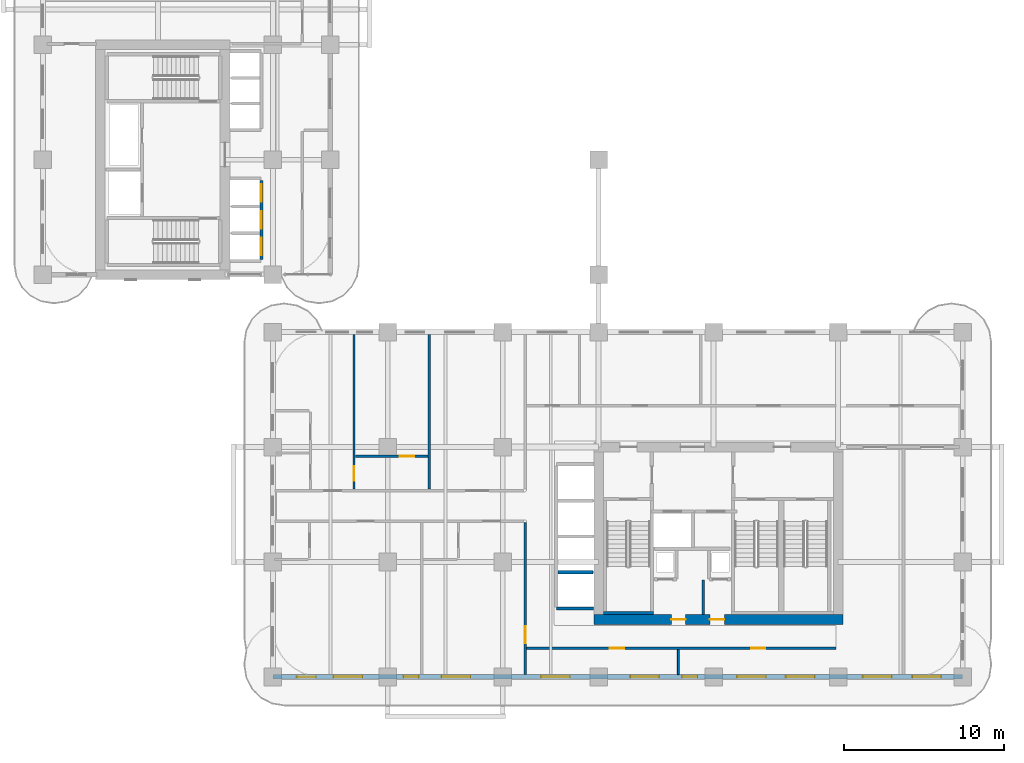
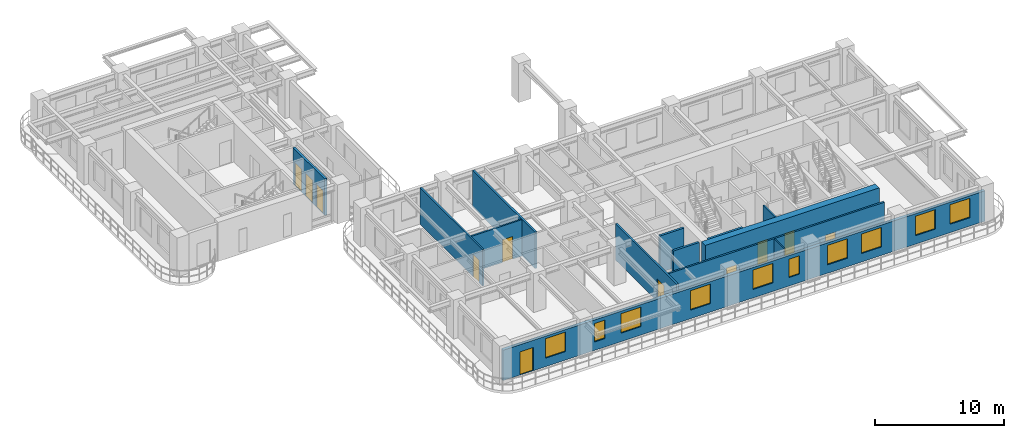
# One storey, part 7 of 19: 13 walls, 11 doors, 10 windows, 21 openings.
"""IFC4 building model written with IfcOpenShell, lengths in metres."""

from ifc_helpers import new_model, si_unit, derived_unit, direction, frame, frame_2d, origin, place, context, subcontext, project, spatial, rectangle, extrude, source, transform, mapped, material, layer, layer_set, type_object, type_shapes, element, fill, save


model = new_model("IFC4")

# Units and contexts
model_context = context("Model", 3, precision=1e-05, world=origin(), true_north=direction((0.0, 1.0)))
body_context = subcontext(model_context, "Body", "Model", "MODEL_VIEW")
ifc_project = project(units=[si_unit("LENGTHUNIT", "METRE"), si_unit("AREAUNIT", "SQUARE_METRE"), si_unit("VOLUMEUNIT", "CUBIC_METRE"), si_unit("PLANEANGLEUNIT", "RADIAN"), si_unit("MASSUNIT", "GRAM", prefix="KILO"), si_unit("THERMODYNAMICTEMPERATUREUNIT", "KELVIN"), si_unit("POWERUNIT", "WATT"), derived_unit("THERMALTRANSMITTANCEUNIT", [(si_unit("POWERUNIT", "WATT"), 1), (si_unit("AREAUNIT", "SQUARE_METRE"), -1), (si_unit("THERMODYNAMICTEMPERATUREUNIT", "KELVIN"), -1)])], contexts=[model_context])

# Site, building, storey
site_placement = place(None, origin())
site = spatial("IfcSite", under=ifc_project, at=site_placement, CompositionType="ELEMENT")
building_placement = place(site_placement, origin())
building = spatial("IfcBuilding", under=site, at=building_placement, Name="Zahravan Archway Hotel and Residences", CompositionType="ELEMENT")
storey_placement = place(building_placement, frame((0.0, 0.0, 43.5)))
storey = spatial("IfcBuildingStorey", under=building, at=storey_placement, Name="L09", CompositionType="ELEMENT", Elevation=43.5)

# Wall, openings, doors
ifc_material_1 = material(Name="Concrete C70/85", Category="concrete")
ifc_layer_1 = layer(ifc_material_1, 0.60009765625, Name="Concrete C70/85", Category="concrete")
ifc_layer_set_1 = layer_set([ifc_layer_1], Name="Concrete C70/85")
wall_type_1 = type_object("IfcWallType", Name="CW-CORE-600", PredefinedType="SHEAR", material=ifc_layer_set_1)
wall_1_placement = place(storey_placement, frame((34.5, 3.60009765625, 0.0), z_axis=(0.0, 0.0, 1.0), x_axis=(1.0, 0.0, 0.0)))
wall_1 = element("IfcWall", 1, at=wall_1_placement, inside=storey, type_object=wall_type_1, Name="L09 Core A Shear S Wall 600 mm", PredefinedType="SHEAR", context=body_context, shape_type="SweptSolid", body=[
    extrude(rectangle(XDim=15.60009765625, YDim=0.60009765625, at=frame_2d((7.800048828125, 0.0))), origin(), (0.0, 0.0, 1.0), 3.699951171875),
])
opening_1_placement = place(wall_1_placement, frame((4.85009765625, 0.0, 0.0)))
opening_1 = element("IfcOpeningElement", 2, at=opening_1_placement, cuts=wall_1, Name="Opening FD-R1", PredefinedType="OPENING", context=body_context, shape_type="SweptSolid", body=[
    extrude(rectangle(XDim=0.89990234375, YDim=2.10009765625, at=frame_2d((0.449951171875, 1.050048828125))), frame((0.0, 0.31005859375, 0.0), z_axis=(0.0, -1.0, 0.0), x_axis=(1.0, 0.0, 0.0)), (0.0, 0.0, 1.0), 0.6201171875),
])
opening_2_placement = place(wall_1_placement, frame((7.27001953125, 0.0, 0.0)))
opening_2 = element("IfcOpeningElement", 3, at=opening_2_placement, cuts=wall_1, Name="Opening FD-R1", PredefinedType="OPENING", context=body_context, shape_type="SweptSolid", body=[
    extrude(rectangle(XDim=0.89990234375, YDim=2.10009765625, at=frame_2d((0.449951171875, 1.050048828125))), frame((0.0, 0.31005859375, 0.0), z_axis=(0.0, -1.0, 0.0), x_axis=(1.0, 0.0, 0.0)), (0.0, 0.0, 1.0), 0.6201171875),
])
ifc_material_2 = material(Name="Fire-Rated Painted Steel", Category="steel")
door_type_1 = type_object("IfcDoorType", Name="FD-RISER-900", OperationType="NOTDEFINED", PredefinedType="DOOR", material=ifc_material_2)
shared_shape_1 = source(origin(), body_context, "Body", "SweptSolid", [
    extrude(rectangle(XDim=0.89990234375, YDim=2.10009765625, at=frame_2d((0.449951171875, 1.050048828125))), frame((0.0, 0.02490234375, 0.0), z_axis=(0.0, -1.0, 0.0), x_axis=(1.0, 0.0, 0.0)), (0.0, 0.0, 1.0), 0.050048828125),
])
type_shapes(door_type_1, [shared_shape_1])
door_1_placement = place(opening_1_placement, origin())
door_1 = element("IfcDoor", 4, at=door_1_placement, inside=storey, type_object=door_type_1, Name="L09 Service Pantry Door", OperationType="SINGLE_SWING_RIGHT", OverallHeight=2.10009765625, OverallWidth=0.89990234375, PredefinedType="DOOR", context=body_context, shape_type="MappedRepresentation", body=[
    mapped(shared_shape_1, transform((0.0, 0.0, 0.0), scale=1.0)),
])
fill(opening_1, door_1)
door_2_placement = place(opening_2_placement, origin())
door_2 = element("IfcDoor", 5, at=door_2_placement, inside=storey, type_object=door_type_1, Name="L09 Fibre ELV Riser Door", OperationType="SINGLE_SWING_LEFT", OverallHeight=2.10009765625, OverallWidth=0.89990234375, PredefinedType="DOOR", context=body_context, shape_type="MappedRepresentation", body=[
    mapped(shared_shape_1, transform((0.0, 0.0, 0.0), scale=1.0)),
])
fill(opening_2, door_2)

# Wall, openings, door, windows
ifc_material_3 = material(Name="Honed Red-Ochre Sandstone & Insulated Block", Category="masonry")
ifc_layer_2 = layer(ifc_material_3, 0.280029296875, Name="Honed Red-Ochre Sandstone & Insulated Block", Category="masonry")
ifc_layer_set_2 = layer_set([ifc_layer_2], Name="Honed Red-Ochre Sandstone & Insulated Block")
wall_type_2 = type_object("IfcWallType", Name="EW-LOG-280", PredefinedType="SOLIDWALL", material=ifc_layer_set_2)
wall_2_placement = place(storey_placement, frame((14.39990234375, 0.0, 0.0), z_axis=(0.0, 0.0, 1.0), x_axis=(1.0, 0.0, 0.0)))
wall_2 = element("IfcWall", 6, at=wall_2_placement, inside=storey, type_object=wall_type_2, Name="L09 Exterior Sandstone Wall WA-S", PredefinedType="SOLIDWALL", context=body_context, shape_type="SweptSolid", body=[
    extrude(rectangle(XDim=43.2001953125, YDim=0.280029296875, at=frame_2d((21.60009765625, 0.0))), origin(), (0.0, 0.0, 1.0), 2.885009765625),
])
opening_3_placement = place(wall_2_placement, frame((1.5, 0.0, 0.0)))
opening_3 = element("IfcOpeningElement", 7, at=opening_3_placement, cuts=wall_2, Name="Opening ED-BL1", PredefinedType="OPENING", context=body_context, shape_type="SweptSolid", body=[
    extrude(rectangle(XDim=1.199951171875, YDim=2.199951171875, at=frame_2d((0.60009765625, 1.10009765625))), frame((0.0, 0.14990234375, 0.0), z_axis=(0.0, -1.0, 0.0), x_axis=(1.0, 0.0, 0.0)), (0.0, 0.0, 1.0), 0.300048828125),
])
opening_4_placement = place(wall_2_placement, frame((3.800048828125, 0.0, 0.800048828125)))
opening_4 = element("IfcOpeningElement", 8, at=opening_4_placement, cuts=wall_2, Name="Opening W-02", PredefinedType="OPENING", context=body_context, shape_type="SweptSolid", body=[
    extrude(rectangle(XDim=1.800048828125, YDim=1.85009765625, at=frame_2d((0.89990234375, 0.925048828125))), frame((0.0, 0.14990234375, 0.0), z_axis=(0.0, -1.0, 0.0), x_axis=(1.0, 0.0, 0.0)), (0.0, 0.0, 1.0), 0.300048828125),
])
opening_5_placement = place(wall_2_placement, frame((8.180908203125, 0.0, 0.800048828125)))
opening_5 = element("IfcOpeningElement", 9, at=opening_5_placement, cuts=wall_2, Name="Opening W-04", PredefinedType="OPENING", context=body_context, shape_type="SweptSolid", body=[
    extrude(rectangle(XDim=0.949951171875, YDim=1.75, at=frame_2d((0.47509765625, 0.875))), frame((0.0, 0.14990234375, 0.0), z_axis=(0.0, -1.0, 0.0), x_axis=(1.0, 0.0, 0.0)), (0.0, 0.0, 1.0), 0.300048828125),
])
opening_6_placement = place(wall_2_placement, frame((10.56396484375, 0.0, 0.800048828125)))
opening_6 = element("IfcOpeningElement", 10, at=opening_6_placement, cuts=wall_2, Name="Opening W-02", PredefinedType="OPENING", context=body_context, shape_type="SweptSolid", body=[
    extrude(rectangle(XDim=1.800048828125, YDim=1.85009765625, at=frame_2d((0.89990234375, 0.925048828125))), frame((0.0, 0.14990234375, 0.0), z_axis=(0.0, -1.0, 0.0), x_axis=(1.0, 0.0, 0.0)), (0.0, 0.0, 1.0), 0.300048828125),
])
opening_7_placement = place(wall_2_placement, frame((16.803955078125, 0.0, 0.800048828125)))
opening_7 = element("IfcOpeningElement", 11, at=opening_7_placement, cuts=wall_2, Name="Opening W-02", PredefinedType="OPENING", context=body_context, shape_type="SweptSolid", body=[
    extrude(rectangle(XDim=1.800048828125, YDim=1.85009765625, at=frame_2d((0.89990234375, 0.925048828125))), frame((0.0, 0.14990234375, 0.0), z_axis=(0.0, -1.0, 0.0), x_axis=(1.0, 0.0, 0.0)), (0.0, 0.0, 1.0), 0.300048828125),
])
opening_8_placement = place(wall_2_placement, frame((22.39599609375, 0.0, 0.800048828125)))
opening_8 = element("IfcOpeningElement", 12, at=opening_8_placement, cuts=wall_2, Name="Opening W-02", PredefinedType="OPENING", context=body_context, shape_type="SweptSolid", body=[
    extrude(rectangle(XDim=1.800048828125, YDim=1.85009765625, at=frame_2d((0.89990234375, 0.925048828125))), frame((0.0, 0.14990234375, 0.0), z_axis=(0.0, -1.0, 0.0), x_axis=(1.0, 0.0, 0.0)), (0.0, 0.0, 1.0), 0.300048828125),
])
opening_9_placement = place(wall_2_placement, frame((25.62890625, 0.0, 0.800048828125)))
opening_9 = element("IfcOpeningElement", 13, at=opening_9_placement, cuts=wall_2, Name="Opening W-04", PredefinedType="OPENING", context=body_context, shape_type="SweptSolid", body=[
    extrude(rectangle(XDim=0.949951171875, YDim=1.75, at=frame_2d((0.47509765625, 0.875))), frame((0.0, 0.14990234375, 0.0), z_axis=(0.0, -1.0, 0.0), x_axis=(1.0, 0.0, 0.0)), (0.0, 0.0, 1.0), 0.300048828125),
])
opening_10_placement = place(wall_2_placement, frame((29.074951171875, 0.0, 0.800048828125)))
opening_10 = element("IfcOpeningElement", 14, at=opening_10_placement, cuts=wall_2, Name="Opening W-02", PredefinedType="OPENING", context=body_context, shape_type="SweptSolid", body=[
    extrude(rectangle(XDim=1.800048828125, YDim=1.85009765625, at=frame_2d((0.89990234375, 0.925048828125))), frame((0.0, 0.14990234375, 0.0), z_axis=(0.0, -1.0, 0.0), x_axis=(1.0, 0.0, 0.0)), (0.0, 0.0, 1.0), 0.300048828125),
])
opening_11_placement = place(wall_2_placement, frame((32.125, 0.0, 0.800048828125)))
opening_11 = element("IfcOpeningElement", 15, at=opening_11_placement, cuts=wall_2, Name="Opening W-02", PredefinedType="OPENING", context=body_context, shape_type="SweptSolid", body=[
    extrude(rectangle(XDim=1.800048828125, YDim=1.85009765625, at=frame_2d((0.89990234375, 0.925048828125))), frame((0.0, 0.14990234375, 0.0), z_axis=(0.0, -1.0, 0.0), x_axis=(1.0, 0.0, 0.0)), (0.0, 0.0, 1.0), 0.300048828125),
])
opening_12_placement = place(wall_2_placement, frame((36.946044921875, 0.0, 0.800048828125)))
opening_12 = element("IfcOpeningElement", 16, at=opening_12_placement, cuts=wall_2, Name="Opening W-02", PredefinedType="OPENING", context=body_context, shape_type="SweptSolid", body=[
    extrude(rectangle(XDim=1.800048828125, YDim=1.85009765625, at=frame_2d((0.89990234375, 0.925048828125))), frame((0.0, 0.14990234375, 0.0), z_axis=(0.0, -1.0, 0.0), x_axis=(1.0, 0.0, 0.0)), (0.0, 0.0, 1.0), 0.300048828125),
])
opening_13_placement = place(wall_2_placement, frame((40.053955078125, 0.0, 0.800048828125)))
opening_13 = element("IfcOpeningElement", 17, at=opening_13_placement, cuts=wall_2, Name="Opening W-02", PredefinedType="OPENING", context=body_context, shape_type="SweptSolid", body=[
    extrude(rectangle(XDim=1.800048828125, YDim=1.85009765625, at=frame_2d((0.89990234375, 0.925048828125))), frame((0.0, 0.14990234375, 0.0), z_axis=(0.0, -1.0, 0.0), x_axis=(1.0, 0.0, 0.0)), (0.0, 0.0, 1.0), 0.300048828125),
])
ifc_material_4 = material(Name="Bronze-Anodized Glazed Aluminium", Category="aluminium")
door_type_2 = type_object("IfcDoorType", Name="ED-BALC-1200", OperationType="SLIDING_TO_LEFT", PredefinedType="DOOR", material=ifc_material_4)
shared_shape_2 = source(origin(), body_context, "Body", "SweptSolid", [
    extrude(rectangle(XDim=1.199951171875, YDim=2.199951171875, at=frame_2d((0.60009765625, 1.10009765625))), frame((0.0, 0.02490234375, 0.0), z_axis=(0.0, -1.0, 0.0), x_axis=(1.0, 0.0, 0.0)), (0.0, 0.0, 1.0), 0.050048828125),
])
type_shapes(door_type_2, [shared_shape_2])
door_3_placement = place(opening_3_placement, origin())
door_3 = element("IfcDoor", 18, at=door_3_placement, inside=storey, type_object=door_type_2, Name="L09 Outdoor Access Sliding Door (SLB-BAL-L09-SA)", OperationType="SLIDING_TO_LEFT", OverallHeight=2.199951171875, OverallWidth=1.199951171875, PredefinedType="DOOR", context=body_context, shape_type="MappedRepresentation", body=[
    mapped(shared_shape_2, transform((0.0, 0.0, 0.0), scale=1.0)),
])
fill(opening_3, door_3)
ifc_material_5 = material(Name="Bronze-Anodized Thermal-Break Aluminium & Low-E Glass", Category="aluminium")
window_type_1 = type_object("IfcWindowType", Name="WIN-NAR-950", PartitioningType="SINGLE_PANEL", PredefinedType="WINDOW", material=ifc_material_5)
shared_shape_3 = source(origin(), body_context, "Body", "SweptSolid", [
    extrude(rectangle(XDim=0.949951171875, YDim=1.75, at=frame_2d((0.47509765625, 0.875))), frame((0.0, 0.030029296875, 0.0), z_axis=(0.0, -1.0, 0.0), x_axis=(1.0, 0.0, 0.0)), (0.0, 0.0, 1.0), 0.06005859375),
])
type_shapes(window_type_1, [shared_shape_3])
window_1_placement = place(opening_5_placement, origin())
window_1 = element("IfcWindow", 19, at=window_1_placement, inside=storey, type_object=window_type_1, Name="L09 Loggia Window 02", OverallHeight=1.75, OverallWidth=0.949951171875, PartitioningType="SINGLE_PANEL", PredefinedType="WINDOW", context=body_context, shape_type="MappedRepresentation", body=[
    mapped(shared_shape_3, transform((0.0, 0.0, 0.0), scale=1.0)),
])
fill(opening_5, window_1)
window_2_placement = place(opening_9_placement, origin())
window_2 = element("IfcWindow", 20, at=window_2_placement, inside=storey, type_object=window_type_1, Name="L09 Loggia Window 06", OverallHeight=1.75, OverallWidth=0.949951171875, PartitioningType="SINGLE_PANEL", PredefinedType="WINDOW", context=body_context, shape_type="MappedRepresentation", body=[
    mapped(shared_shape_3, transform((0.0, 0.0, 0.0), scale=1.0)),
])
fill(opening_9, window_2)
window_type_2 = type_object("IfcWindowType", Name="WIN-TWR-1800", PartitioningType="DOUBLE_PANEL_VERTICAL", PredefinedType="WINDOW", material=ifc_material_5)
shared_shape_4 = source(origin(), body_context, "Body", "SweptSolid", [
    extrude(rectangle(XDim=1.800048828125, YDim=1.85009765625, at=frame_2d((0.89990234375, 0.925048828125))), frame((0.0, 0.030029296875, 0.0), z_axis=(0.0, -1.0, 0.0), x_axis=(1.0, 0.0, 0.0)), (0.0, 0.0, 1.0), 0.06005859375),
])
type_shapes(window_type_2, [shared_shape_4])
window_3_placement = place(opening_4_placement, origin())
window_3 = element("IfcWindow", 21, at=window_3_placement, inside=storey, type_object=window_type_2, Name="L09 Loggia Window 01", OverallHeight=1.85009765625, OverallWidth=1.800048828125, PartitioningType="DOUBLE_PANEL_VERTICAL", PredefinedType="WINDOW", context=body_context, shape_type="MappedRepresentation", body=[
    mapped(shared_shape_4, transform((0.0, 0.0, 0.0), scale=1.0)),
])
fill(opening_4, window_3)
window_4_placement = place(opening_6_placement, origin())
window_4 = element("IfcWindow", 22, at=window_4_placement, inside=storey, type_object=window_type_2, Name="L09 Loggia Window 03", OverallHeight=1.85009765625, OverallWidth=1.800048828125, PartitioningType="DOUBLE_PANEL_VERTICAL", PredefinedType="WINDOW", context=body_context, shape_type="MappedRepresentation", body=[
    mapped(shared_shape_4, transform((0.0, 0.0, 0.0), scale=1.0)),
])
fill(opening_6, window_4)
window_5_placement = place(opening_7_placement, origin())
window_5 = element("IfcWindow", 23, at=window_5_placement, inside=storey, type_object=window_type_2, Name="L09 Loggia Window 04", OverallHeight=1.85009765625, OverallWidth=1.800048828125, PartitioningType="DOUBLE_PANEL_VERTICAL", PredefinedType="WINDOW", context=body_context, shape_type="MappedRepresentation", body=[
    mapped(shared_shape_4, transform((0.0, 0.0, 0.0), scale=1.0)),
])
fill(opening_7, window_5)
window_6_placement = place(opening_8_placement, origin())
window_6 = element("IfcWindow", 24, at=window_6_placement, inside=storey, type_object=window_type_2, Name="L09 Loggia Window 05", OverallHeight=1.85009765625, OverallWidth=1.800048828125, PartitioningType="DOUBLE_PANEL_VERTICAL", PredefinedType="WINDOW", context=body_context, shape_type="MappedRepresentation", body=[
    mapped(shared_shape_4, transform((0.0, 0.0, 0.0), scale=1.0)),
])
fill(opening_8, window_6)
window_7_placement = place(opening_10_placement, origin())
window_7 = element("IfcWindow", 25, at=window_7_placement, inside=storey, type_object=window_type_2, Name="L09 Loggia Window 07", OverallHeight=1.85009765625, OverallWidth=1.800048828125, PartitioningType="DOUBLE_PANEL_VERTICAL", PredefinedType="WINDOW", context=body_context, shape_type="MappedRepresentation", body=[
    mapped(shared_shape_4, transform((0.0, 0.0, 0.0), scale=1.0)),
])
fill(opening_10, window_7)
window_8_placement = place(opening_11_placement, origin())
window_8 = element("IfcWindow", 26, at=window_8_placement, inside=storey, type_object=window_type_2, Name="L09 Loggia Window 08", OverallHeight=1.85009765625, OverallWidth=1.800048828125, PartitioningType="DOUBLE_PANEL_VERTICAL", PredefinedType="WINDOW", context=body_context, shape_type="MappedRepresentation", body=[
    mapped(shared_shape_4, transform((0.0, 0.0, 0.0), scale=1.0)),
])
fill(opening_11, window_8)
window_9_placement = place(opening_12_placement, origin())
window_9 = element("IfcWindow", 27, at=window_9_placement, inside=storey, type_object=window_type_2, Name="L09 Loggia Window 09", OverallHeight=1.85009765625, OverallWidth=1.800048828125, PartitioningType="DOUBLE_PANEL_VERTICAL", PredefinedType="WINDOW", context=body_context, shape_type="MappedRepresentation", body=[
    mapped(shared_shape_4, transform((0.0, 0.0, 0.0), scale=1.0)),
])
fill(opening_12, window_9)
window_10_placement = place(opening_13_placement, origin())
window_10 = element("IfcWindow", 28, at=window_10_placement, inside=storey, type_object=window_type_2, Name="L09 Loggia Window 10", OverallHeight=1.85009765625, OverallWidth=1.800048828125, PartitioningType="DOUBLE_PANEL_VERTICAL", PredefinedType="WINDOW", context=body_context, shape_type="MappedRepresentation", body=[
    mapped(shared_shape_4, transform((0.0, 0.0, 0.0), scale=1.0)),
])
fill(opening_13, window_10)

# Wall, opening, door
ifc_material_6 = material(Name="Fire-Rated Gypsum & Concrete Block", Category="concrete")
ifc_layer_3 = layer(ifc_material_6, 0.159912109375, Name="Fire-Rated Gypsum & Concrete Block", Category="concrete")
ifc_layer_set_3 = layer_set([ifc_layer_3], Name="Fire-Rated Gypsum & Concrete Block")
wall_type_3 = type_object("IfcWallType", Name="PW-CORR-160", PredefinedType="PARTITIONING", material=ifc_layer_set_3)
wall_3_placement = place(storey_placement, frame((30.199951171875, 0.14794921875, 0.0), z_axis=(0.0, 0.0, 1.0), x_axis=(0.0, 1.0, 0.0)))
wall_3 = element("IfcWall", 29, at=wall_3_placement, inside=storey, type_object=wall_type_3, Name="L09 Partition WA-SRW", PredefinedType="PARTITIONING", context=body_context, shape_type="SweptSolid", body=[
    extrude(rectangle(XDim=9.511962890625, YDim=0.159912109375, at=frame_2d((4.755859375, 0.0))), origin(), (0.0, 0.0, 1.0), 3.449951171875),
])
opening_14_placement = place(wall_3_placement, frame((1.97705078125, 0.0, 0.0)))
opening_14 = element("IfcOpeningElement", 30, at=opening_14_placement, cuts=wall_3, Name="Opening FD-L2", PredefinedType="OPENING", context=body_context, shape_type="SweptSolid", body=[
    extrude(rectangle(XDim=1.050048828125, YDim=2.14990234375, at=frame_2d((0.52490234375, 1.074951171875))), frame((0.0, 0.08984375, 0.0), z_axis=(0.0, -1.0, 0.0), x_axis=(1.0, 0.0, 0.0)), (0.0, 0.0, 1.0), 0.179931640625),
])
door_type_3 = type_object("IfcDoorType", Name="FD-LOBBY-1100", OperationType="NOTDEFINED", PredefinedType="DOOR", material=ifc_material_2)
shared_shape_5 = source(origin(), body_context, "Body", "SweptSolid", [
    extrude(rectangle(XDim=1.050048828125, YDim=2.14990234375, at=frame_2d((0.52490234375, 1.074951171875))), frame((0.0, 0.02490234375, 0.0), z_axis=(0.0, -1.0, 0.0), x_axis=(1.0, 0.0, 0.0)), (0.0, 0.0, 1.0), 0.050048828125),
])
type_shapes(door_type_3, [shared_shape_5])
door_4_placement = place(opening_14_placement, origin())
door_4 = element("IfcDoor", 31, at=door_4_placement, inside=storey, type_object=door_type_3, Name="L09 South Riser Corridor Door", OperationType="SINGLE_SWING_LEFT", OverallHeight=2.14990234375, OverallWidth=1.050048828125, PredefinedType="DOOR", context=body_context, shape_type="MappedRepresentation", body=[
    mapped(shared_shape_5, transform((0.0, 0.0, 0.0), scale=1.0)),
])
fill(opening_14, door_4)

# Wall, openings, doors
wall_4_placement = place(storey_placement, frame((30.2900390625, 1.800048828125, 0.0), z_axis=(0.0, 0.0, 1.0), x_axis=(1.0, 0.0, 0.0)))
wall_4 = element("IfcWall", 32, at=wall_4_placement, inside=storey, type_object=wall_type_3, Name="L09 Partition WA-SRS", PredefinedType="PARTITIONING", context=body_context, shape_type="SweptSolid", body=[
    extrude(rectangle(XDim=19.369873046875, YDim=0.159912109375, at=frame_2d((9.68505859375, 0.0))), origin(), (0.0, 0.0, 1.0), 3.449951171875),
])
opening_15_placement = place(wall_4_placement, frame((5.213134765625, 0.0, 0.0)))
opening_15 = element("IfcOpeningElement", 33, at=opening_15_placement, cuts=wall_4, Name="Opening D-I2", PredefinedType="OPENING", context=body_context, shape_type="SweptSolid", body=[
    extrude(rectangle(XDim=0.89990234375, YDim=2.14990234375, at=frame_2d((0.449951171875, 1.074951171875))), frame((0.0, 0.08984375, 0.0), z_axis=(0.0, -1.0, 0.0), x_axis=(1.0, 0.0, 0.0)), (0.0, 0.0, 1.0), 0.179931640625),
])
opening_16_placement = place(wall_4_placement, frame((14.06005859375, 0.0, 0.0)))
opening_16 = element("IfcOpeningElement", 34, at=opening_16_placement, cuts=wall_4, Name="Opening D-I2", PredefinedType="OPENING", context=body_context, shape_type="SweptSolid", body=[
    extrude(rectangle(XDim=0.89990234375, YDim=2.14990234375, at=frame_2d((0.449951171875, 1.074951171875))), frame((0.0, 0.08984375, 0.0), z_axis=(0.0, -1.0, 0.0), x_axis=(1.0, 0.0, 0.0)), (0.0, 0.0, 1.0), 0.179931640625),
])
ifc_material_7 = material(Name="Hardwood Veneer Timber", Category="wood")
door_type_4 = type_object("IfcDoorType", Name="ID-INT-900", OperationType="NOTDEFINED", PredefinedType="DOOR", material=ifc_material_7)
shared_shape_6 = source(origin(), body_context, "Body", "SweptSolid", [
    extrude(rectangle(XDim=0.89990234375, YDim=2.14990234375, at=frame_2d((0.449951171875, 1.074951171875))), frame((0.0, 0.02490234375, 0.0), z_axis=(0.0, -1.0, 0.0), x_axis=(1.0, 0.0, 0.0)), (0.0, 0.0, 1.0), 0.050048828125),
])
type_shapes(door_type_4, [shared_shape_6])
door_5_placement = place(opening_15_placement, origin())
door_5 = element("IfcDoor", 35, at=door_5_placement, inside=storey, type_object=door_type_4, Name="L09 South Study Door", OperationType="SINGLE_SWING_RIGHT", OverallHeight=2.14990234375, OverallWidth=0.89990234375, PredefinedType="DOOR", context=body_context, shape_type="MappedRepresentation", body=[
    mapped(shared_shape_6, transform((0.0, 0.0, 0.0), scale=1.0)),
])
fill(opening_15, door_5)
door_6_placement = place(opening_16_placement, origin())
door_6 = element("IfcDoor", 36, at=door_6_placement, inside=storey, type_object=door_type_4, Name="L09 South Pantry Door", OperationType="SINGLE_SWING_LEFT", OverallHeight=2.14990234375, OverallWidth=0.89990234375, PredefinedType="DOOR", context=body_context, shape_type="MappedRepresentation", body=[
    mapped(shared_shape_6, transform((0.0, 0.0, 0.0), scale=1.0)),
])
fill(opening_16, door_6)

# Walls
ifc_material_8 = material(Name="Acoustic Stud Partition")
ifc_layer_4 = layer(ifc_material_8, 0.125, Name="Acoustic Stud Partition")
ifc_layer_set_4 = layer_set([ifc_layer_4], Name="Acoustic Stud Partition")
wall_type_4 = type_object("IfcWallType", Name="PW-INT-125", PredefinedType="PARTITIONING", material=ifc_layer_set_4)
wall_5_placement = place(storey_placement, frame((39.800048828125, 0.14794921875, 0.0), z_axis=(0.0, 0.0, 1.0), x_axis=(0.0, 1.0, 0.0)))
element("IfcWall", 37, at=wall_5_placement, inside=storey, type_object=wall_type_4, Name="L09 Partition S-DIV1", PredefinedType="PARTITIONING", context=body_context, shape_type="SweptSolid", body=[
    extrude(rectangle(XDim=1.56201171875, YDim=0.125, at=frame_2d((0.781005859375, 0.0))), origin(), (0.0, 0.0, 1.0), 3.449951171875),
])
ifc_layer_5 = layer(ifc_material_6, 0.199951171875, Name="Fire-Rated Gypsum & Concrete Block", Category="concrete")
ifc_layer_set_5 = layer_set([ifc_layer_5], Name="Fire-Rated Gypsum & Concrete Block")
wall_type_5 = type_object("IfcWallType", Name="PW-SHAFT-200", PredefinedType="PARTITIONING", material=ifc_layer_set_5)
wall_6_placement = place(storey_placement, frame((32.159912109375, 4.280029296875, 0.0), z_axis=(0.0, 0.0, 1.0), x_axis=(1.0, 0.0, 0.0)))
element("IfcWall", 38, at=wall_6_placement, inside=storey, type_object=wall_type_5, Name="L09 Partition B3-S", PredefinedType="PARTITIONING", context=body_context, shape_type="SweptSolid", body=[
    extrude(rectangle(XDim=2.31005859375, YDim=0.199951171875, at=frame_2d((1.155029296875, 0.0))), origin(), (0.0, 0.0, 1.0), 3.449951171875),
])
wall_7_placement = place(storey_placement, frame((32.260009765625, 6.56005859375, 0.0), z_axis=(0.0, 0.0, 1.0), x_axis=(1.0, 0.0, 0.0)))
element("IfcWall", 39, at=wall_7_placement, inside=storey, type_object=wall_type_5, Name="L09 Partition B3-D", PredefinedType="PARTITIONING", context=body_context, shape_type="SweptSolid", body=[
    extrude(rectangle(XDim=2.179931640625, YDim=0.199951171875, at=frame_2d((1.08984375, 0.0))), origin(), (0.0, 0.0, 1.0), 3.449951171875),
])

# Wall, openings, doors
wall_8_placement = place(storey_placement, frame((13.679931640625, 26.159912109375, 0.0), z_axis=(0.0, 0.0, 1.0), x_axis=(0.0, 1.0, 0.0)))
wall_8 = element("IfcWall", 40, at=wall_8_placement, inside=storey, type_object=wall_type_5, Name="L09 Partition B1-E", PredefinedType="PARTITIONING", context=body_context, shape_type="SweptSolid", body=[
    extrude(rectangle(XDim=4.940185546875, YDim=0.199951171875, at=frame_2d((2.47021484375, 0.0))), origin(), (0.0, 0.0, 1.0), 3.449951171875),
])
opening_17_placement = place(wall_8_placement, frame((0.239990234375, 0.0, 0.0)))
opening_17 = element("IfcOpeningElement", 41, at=opening_17_placement, cuts=wall_8, Name="Opening LD", PredefinedType="OPENING", context=body_context, shape_type="SweptSolid", body=[
    extrude(rectangle(XDim=1.10009765625, YDim=2.199951171875, at=frame_2d((0.550048828125, 1.10009765625))), frame((0.0, 0.10986328125, 0.0), z_axis=(0.0, -1.0, 0.0), x_axis=(1.0, 0.0, 0.0)), (0.0, 0.0, 1.0), 0.219970703125),
])
opening_18_placement = place(wall_8_placement, frame((1.919921875, 0.0, 0.0)))
opening_18 = element("IfcOpeningElement", 42, at=opening_18_placement, cuts=wall_8, Name="Opening LD", PredefinedType="OPENING", context=body_context, shape_type="SweptSolid", body=[
    extrude(rectangle(XDim=1.10009765625, YDim=2.199951171875, at=frame_2d((0.550048828125, 1.10009765625))), frame((0.0, 0.10986328125, 0.0), z_axis=(0.0, -1.0, 0.0), x_axis=(1.0, 0.0, 0.0)), (0.0, 0.0, 1.0), 0.219970703125),
])
opening_19_placement = place(wall_8_placement, frame((3.60009765625, 0.0, 0.0)))
opening_19 = element("IfcOpeningElement", 43, at=opening_19_placement, cuts=wall_8, Name="Opening LD", PredefinedType="OPENING", context=body_context, shape_type="SweptSolid", body=[
    extrude(rectangle(XDim=1.10009765625, YDim=2.199951171875, at=frame_2d((0.550048828125, 1.10009765625))), frame((0.0, 0.10986328125, 0.0), z_axis=(0.0, -1.0, 0.0), x_axis=(1.0, 0.0, 0.0)), (0.0, 0.0, 1.0), 0.219970703125),
])
ifc_material_9 = material(Name="Brushed Stainless Steel", Category="steel")
door_type_5 = type_object("IfcDoorType", Name="DR-LIFT-LD", OperationType="SLIDING_TO_LEFT", PredefinedType="DOOR", material=ifc_material_9)
shared_shape_7 = source(origin(), body_context, "Body", "SweptSolid", [
    extrude(rectangle(XDim=1.10009765625, YDim=2.199951171875, at=frame_2d((0.550048828125, 1.10009765625))), frame((0.0, 0.02490234375, 0.0), z_axis=(0.0, -1.0, 0.0), x_axis=(1.0, 0.0, 0.0)), (0.0, 0.0, 1.0), 0.050048828125),
])
type_shapes(door_type_5, [shared_shape_7])
door_7_placement = place(opening_17_placement, origin())
door_7 = element("IfcDoor", 44, at=door_7_placement, inside=storey, type_object=door_type_5, Name="L09 Lift LP-1 Sliding Landing Door", OperationType="SLIDING_TO_LEFT", OverallHeight=2.199951171875, OverallWidth=1.10009765625, PredefinedType="DOOR", context=body_context, shape_type="MappedRepresentation", body=[
    mapped(shared_shape_7, transform((0.0, 0.0, 0.0), scale=1.0)),
])
fill(opening_17, door_7)
door_8_placement = place(opening_18_placement, origin())
door_8 = element("IfcDoor", 45, at=door_8_placement, inside=storey, type_object=door_type_5, Name="L09 Lift LP-2 Sliding Landing Door", OperationType="SLIDING_TO_LEFT", OverallHeight=2.199951171875, OverallWidth=1.10009765625, PredefinedType="DOOR", context=body_context, shape_type="MappedRepresentation", body=[
    mapped(shared_shape_7, transform((0.0, 0.0, 0.0), scale=1.0)),
])
fill(opening_18, door_8)
door_9_placement = place(opening_19_placement, origin())
door_9 = element("IfcDoor", 46, at=door_9_placement, inside=storey, type_object=door_type_5, Name="L09 Lift LP-3 Sliding Landing Door", OperationType="SLIDING_TO_LEFT", OverallHeight=2.199951171875, OverallWidth=1.10009765625, PredefinedType="DOOR", context=body_context, shape_type="MappedRepresentation", body=[
    mapped(shared_shape_7, transform((0.0, 0.0, 0.0), scale=1.0)),
])
fill(opening_19, door_9)

# Wall, opening, door
ifc_layer_6 = layer(ifc_material_8, 0.14990234375, Name="Acoustic Stud Partition")
ifc_layer_set_6 = layer_set([ifc_layer_6], Name="Acoustic Stud Partition")
wall_type_6 = type_object("IfcWallType", Name="PW-UNIT-150", PredefinedType="PARTITIONING", material=ifc_layer_set_6)
wall_9_placement = place(storey_placement, frame((19.47998046875, 11.760009765625, 0.0), z_axis=(0.0, 0.0, 1.0), x_axis=(0.0, 1.0, 0.0)))
wall_9 = element("IfcWall", 47, at=wall_9_placement, inside=storey, type_object=wall_type_6, Name="L09 Partition FL-PN1-SP", PredefinedType="PARTITIONING", context=body_context, shape_type="SweptSolid", body=[
    extrude(rectangle(XDim=9.69189453125, YDim=0.14990234375, at=frame_2d((4.845947265625, 0.0))), origin(), (0.0, 0.0, 1.0), 3.449951171875),
])
opening_20_placement = place(wall_9_placement, frame((0.534912109375, 0.0, 0.0)))
opening_20 = element("IfcOpeningElement", 48, at=opening_20_placement, cuts=wall_9, Name="Opening D-I2", PredefinedType="OPENING", context=body_context, shape_type="SweptSolid", body=[
    extrude(rectangle(XDim=0.89990234375, YDim=2.14990234375, at=frame_2d((0.449951171875, 1.074951171875))), frame((0.0, 0.0849609375, 0.0), z_axis=(0.0, -1.0, 0.0), x_axis=(1.0, 0.0, 0.0)), (0.0, 0.0, 1.0), 0.169921875),
])
door_10_placement = place(opening_20_placement, origin())
door_10 = element("IfcDoor", 49, at=door_10_placement, inside=storey, type_object=door_type_4, Name="L09 Flat PN1 Bedroom Hall Door", OperationType="SINGLE_SWING_LEFT", OverallHeight=2.14990234375, OverallWidth=0.89990234375, PredefinedType="DOOR", context=body_context, shape_type="MappedRepresentation", body=[
    mapped(shared_shape_6, transform((0.0, 0.0, 0.0), scale=1.0)),
])
fill(opening_20, door_10)

wall_10_placement = place(storey_placement, frame((19.570068359375, 13.820068359375, 0.0), z_axis=(0.0, 0.0, 1.0), x_axis=(1.0, 0.0, 0.0)))
wall_10 = element("IfcWall", 50, at=wall_10_placement, inside=storey, type_object=wall_type_6, Name="L09 Partition FL-PN1-GH", PredefinedType="PARTITIONING", context=body_context, shape_type="SweptSolid", body=[
    extrude(rectangle(XDim=4.5400390625, YDim=0.14990234375, at=frame_2d((2.27001953125, 0.0))), origin(), (0.0, 0.0, 1.0), 3.449951171875),
])
opening_21_placement = place(wall_10_placement, frame((2.788330078125, 0.0, 0.0)))
opening_21 = element("IfcOpeningElement", 51, at=opening_21_placement, cuts=wall_10, Name="Opening D-I2", PredefinedType="OPENING", context=body_context, shape_type="SweptSolid", body=[
    extrude(rectangle(XDim=0.89990234375, YDim=2.14990234375, at=frame_2d((0.449951171875, 1.074951171875))), frame((0.0, 0.0849609375, 0.0), z_axis=(0.0, -1.0, 0.0), x_axis=(1.0, 0.0, 0.0)), (0.0, 0.0, 1.0), 0.169921875),
])
door_11_placement = place(opening_21_placement, origin())
door_11 = element("IfcDoor", 52, at=door_11_placement, inside=storey, type_object=door_type_4, Name="L09 Flat PN1 Bedroom 1 Door", OperationType="SINGLE_SWING_RIGHT", OverallHeight=2.14990234375, OverallWidth=0.89990234375, PredefinedType="DOOR", context=body_context, shape_type="MappedRepresentation", body=[
    mapped(shared_shape_6, transform((0.0, 0.0, 0.0), scale=1.0)),
])
fill(opening_21, door_11)

# Walls
ifc_layer_7 = layer(ifc_material_8, 0.169921875, Name="Acoustic Stud Partition")
ifc_layer_set_7 = layer_set([ifc_layer_7], Name="Acoustic Stud Partition")
wall_type_7 = type_object("IfcWallType", Name="PW-UNIT-170", PredefinedType="PARTITIONING", material=ifc_layer_set_7)
wall_11_placement = place(storey_placement, frame((24.199951171875, 11.760009765625, 0.0), z_axis=(0.0, 0.0, 1.0), x_axis=(0.0, 1.0, 0.0)))
element("IfcWall", 53, at=wall_11_placement, inside=storey, type_object=wall_type_7, Name="L09 Partition WAN-P1", PredefinedType="PARTITIONING", context=body_context, shape_type="SweptSolid", body=[
    extrude(rectangle(XDim=9.69189453125, YDim=0.169921875, at=frame_2d((4.845947265625, 0.0))), origin(), (0.0, 0.0, 1.0), 3.449951171875),
])
ifc_material_10 = material(Name="Moisture-Resistant Blockwork", Category="masonry")
ifc_layer_8 = layer(ifc_material_10, 0.139892578125, Name="Moisture-Resistant Blockwork", Category="masonry")
ifc_layer_set_8 = layer_set([ifc_layer_8], Name="Moisture-Resistant Blockwork")
wall_type_8 = type_object("IfcWallType", Name="PW-WET-140", PredefinedType="PARTITIONING", material=ifc_layer_set_8)
wall_12_placement = place(storey_placement, frame((41.35009765625, 3.919921875, 0.0), z_axis=(0.0, 0.0, 1.0), x_axis=(0.0, 1.0, 0.0)))
element("IfcWall", 54, at=wall_12_placement, inside=storey, type_object=wall_type_8, Name="L09 Partition CA-CV3", PredefinedType="PARTITIONING", context=body_context, shape_type="SweptSolid", body=[
    extrude(rectangle(XDim=2.16015625, YDim=0.139892578125, at=frame_2d((1.080078125, 0.0))), origin(), (0.0, 0.0, 1.0), 3.449951171875),
])
ifc_material_11 = material(Name="Concrete C50/60", Category="concrete")
ifc_layer_9 = layer(ifc_material_11, 0.199951171875, Name="Concrete C50/60", Category="concrete")
ifc_layer_set_9 = layer_set([ifc_layer_9], Name="Concrete C50/60")
wall_type_9 = type_object("IfcWallType", Name="SW-STAIR-200", PredefinedType="SHEAR", material=ifc_layer_set_9)
wall_13_placement = place(storey_placement, frame((35.10009765625, 4.0, 0.0), z_axis=(0.0, 0.0, 1.0), x_axis=(1.0, 0.0, 0.0)))
element("IfcWall", 55, at=wall_13_placement, inside=storey, type_object=wall_type_9, Name="L09 Stairwell RC Wall CA-SA1S", PredefinedType="SHEAR", context=body_context, shape_type="SweptSolid", body=[
    extrude(rectangle(XDim=3.139892578125, YDim=0.199951171875, at=frame_2d((1.56982421875, 0.0))), origin(), (0.0, 0.0, 1.0), 3.699951171875),
])

save(model, "model.ifc")
